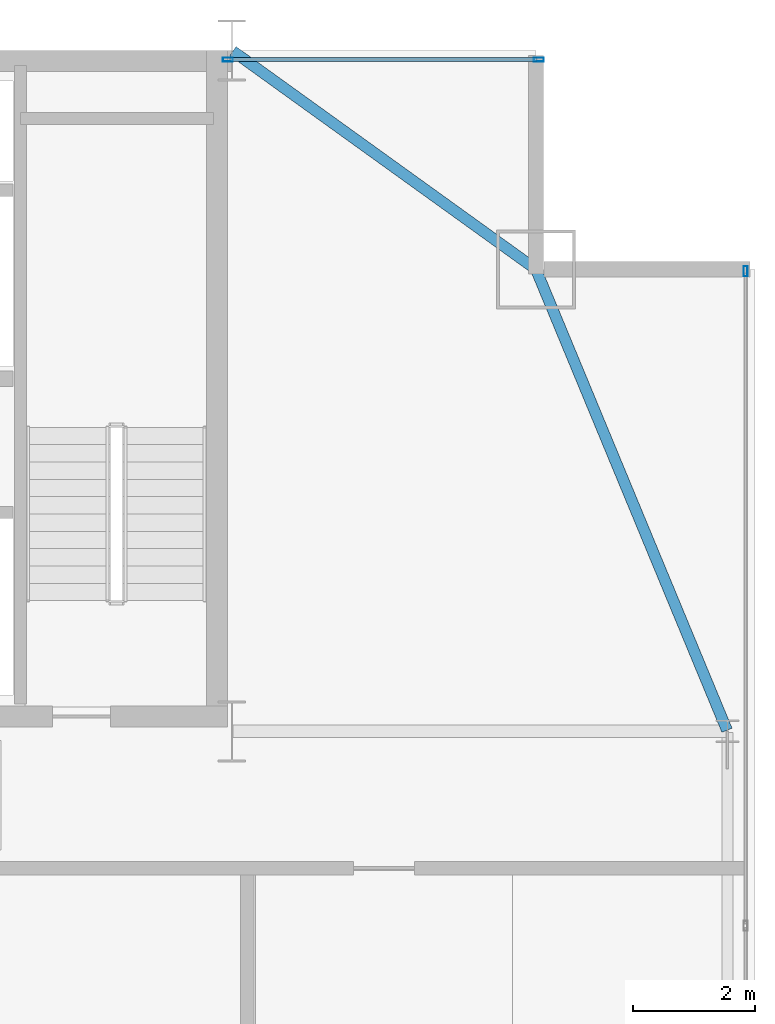
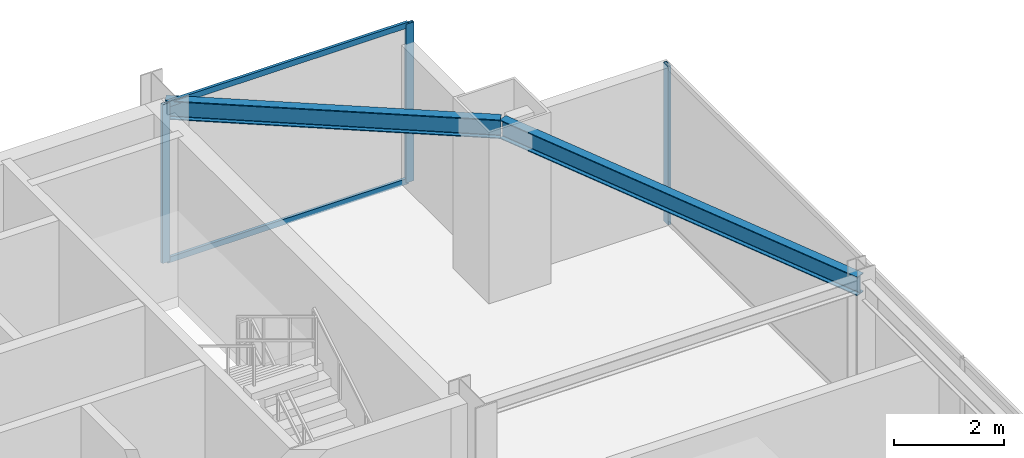
# One storey, part 21 of 29: 5 members, 2 beams, 2 elements without a shape of their own.
"""IFC4 building model written with IfcOpenShell, lengths in metres."""

from ifc_helpers import new_model, si_unit, direction, frame, origin, origin_2d, place, context, subcontext, project, spatial, hollow_rectangle, i_section, extrude, source, transform, mapped, material, layer, layer_set, material_profile, profile_set, type_object, type_shapes, element, aggregate, save


model = new_model("IFC4")

# Units and contexts
model_context = context("Model", 3, precision=1e-05, world=origin(), true_north=direction((0.0, 1.0)))
body_context = subcontext(model_context, "Body", "Model", "MODEL_VIEW")
ifc_project = project(units=[si_unit("LENGTHUNIT", "METRE"), si_unit("AREAUNIT", "SQUARE_METRE"), si_unit("VOLUMEUNIT", "CUBIC_METRE"), si_unit("PLANEANGLEUNIT", "RADIAN"), si_unit("MASSUNIT", "GRAM", prefix="KILO")], contexts=[model_context])

# Site, building, storey
site_placement = place(None, origin())
site = spatial("IfcSite", under=ifc_project, at=site_placement, CompositionType="ELEMENT")
building_placement = place(site_placement, origin())
building = spatial("IfcBuilding", under=site, at=building_placement, Name="Varnel Quay Broadcast Tower", CompositionType="ELEMENT")
storey_placement = place(building_placement, frame((0.0, 0.0, 187.60009765625)))
storey = spatial("IfcBuildingStorey", under=building, at=storey_placement, Name="L46", CompositionType="ELEMENT", Elevation=187.60009765625)

# Beams
ifc_material_1 = material(Name="Structural Steel CSA G40.21 350W", Category="steel")
ifc_material_profile_1 = material_profile(ifc_material_1, i_section(OverallWidth=0.180908203125, OverallDepth=0.4169921875, WebThickness=0.010986328125, FlangeThickness=0.018310546875, FilletRadius=0.011962890625, at=origin_2d()), Name="W410X85")
ifc_profile_set_1 = profile_set([ifc_material_profile_1], Name="Structural Steel CSA G40.21 350W")
beam_type = type_object("IfcBeamType", Name="Beam_W410X85", PredefinedType="SPANDREL", material=ifc_profile_set_1)
shared_shape_1 = source(origin(), body_context, "Body", "SweptSolid", [
    extrude(i_section(OverallWidth=0.180908203125, OverallDepth=0.4169921875, WebThickness=0.010986328125, FlangeThickness=0.018310546875, FilletRadius=0.011962890625, at=origin_2d()), origin(), (0.0, 0.0, 1.0), 8.186767578125),
])
beam_1_placement = place(storey_placement, frame((60.542236328125, 35.618408203125, 3.3115234375), z_axis=(-0.382874132092, 0.923800519038, 0.0), x_axis=(-0.923800519038, -0.382874132092, 0.0)))
element("IfcBeam", 1, at=beam_1_placement, inside=storey, type_object=beam_type, Name="L46 East Spandrel TC-E3-MC-NE", PredefinedType="SPANDREL", context=body_context, shape_type="MappedRepresentation", body=[
    mapped(shared_shape_1, transform((0.0, 0.0, 0.0), x_axis=(1.0, 0.0, 0.0), y_axis=(0.0, 1.0, 0.0), z_axis=(0.0, 0.0, 1.0), scale=1.0)),
])
shared_shape_2 = source(origin(), body_context, "Body", "SweptSolid", [
    extrude(i_section(OverallWidth=0.180908203125, OverallDepth=0.4169921875, WebThickness=0.010986328125, FlangeThickness=0.018310546875, FilletRadius=0.011962890625, at=origin_2d()), origin(), (0.0, 0.0, 1.0), 6.12109375),
])
type_shapes(beam_type, [shared_shape_1, shared_shape_2])
beam_2_placement = place(storey_placement, frame((52.416259765625, 46.788330078125, 3.3115234375), z_axis=(0.811531315425, -0.584308928637, 0.0), x_axis=(0.584308928637, 0.811531315425, 0.0)))
element("IfcBeam", 2, at=beam_2_placement, inside=storey, type_object=beam_type, Name="L46 NE Tie Spandrel", PredefinedType="SPANDREL", context=body_context, shape_type="MappedRepresentation", body=[
    mapped(shared_shape_2, transform((0.0, 0.0, 0.0), x_axis=(1.0, 0.0, 0.0), y_axis=(0.0, 1.0, 0.0), z_axis=(0.0, 0.0, 1.0), scale=1.0)),
])

# Curtain wall, members
ifc_material_2 = material(Name="Anodised Bronze Aluminium 6063-T6", Category="aluminium")
ifc_layer = layer(ifc_material_2, 0.18994140625, Name="Anodised Bronze Aluminium 6063-T6")
ifc_layer_set = layer_set([ifc_layer], Name="Anodised Bronze Aluminium 6063-T6")
curtain_wall_type = type_object("IfcCurtainWallType", Name="CW_UpperTower", PredefinedType="NOTDEFINED", material=ifc_layer_set)
curtain_wall_1_placement = place(storey_placement, origin())
curtain_wall_1 = element("IfcCurtainWall", 3, at=curtain_wall_1_placement, inside=storey, type_object=curtain_wall_type, Name="L46 NE Wing Curtain Wall", PredefinedType="NOTDEFINED")
ifc_material_profile_2 = material_profile(ifc_material_2, hollow_rectangle(XDim=0.06005859375, YDim=0.125, WallThickness=0.0029296875, at=origin_2d()), Name="ALU60X125X3")
ifc_profile_set_2 = profile_set([ifc_material_profile_2], Name="Anodised Bronze Aluminium 6063-T6")
member_type_1 = type_object("IfcMemberType", Name="Tran_CWS-03", PredefinedType="USERDEFINED", material=ifc_profile_set_2)
shared_shape_3 = source(origin(), body_context, "Body", "SweptSolid", [
    extrude(hollow_rectangle(XDim=0.06005859375, YDim=0.125, WallThickness=0.0029296875, at=origin_2d()), origin(), (0.0, 0.0, 1.0), 5.050048828125),
])
type_shapes(member_type_1, [shared_shape_3])
member_1_placement = place(storey_placement, frame((52.364990234375, 46.64990234375, 0.02978515625), z_axis=(1.0, 0.0, 0.0), x_axis=(0.0, 1.0, 0.0)))
member_1 = element("IfcMember", 4, at=member_1_placement, type_object=member_type_1, Name="CWS-03 transom 1.1", ObjectType="TRANSOM", PredefinedType="USERDEFINED", context=body_context, shape_type="MappedRepresentation", body=[
    mapped(shared_shape_3, transform((0.0, 0.0, 0.0), x_axis=(1.0, 0.0, 0.0), y_axis=(0.0, 1.0, 0.0), z_axis=(0.0, 0.0, 1.0), scale=1.0)),
])
member_2_placement = place(storey_placement, frame((52.364990234375, 46.64990234375, 3.489990234375), z_axis=(1.0, 0.0, 0.0), x_axis=(0.0, 1.0, 0.0)))
member_2 = element("IfcMember", 5, at=member_2_placement, type_object=member_type_1, Name="CWS-03 transom 1.2", ObjectType="TRANSOM", PredefinedType="USERDEFINED", context=body_context, shape_type="MappedRepresentation", body=[
    mapped(shared_shape_3, transform((0.0, 0.0, 0.0), x_axis=(1.0, 0.0, 0.0), y_axis=(0.0, 1.0, 0.0), z_axis=(0.0, 0.0, 1.0), scale=1.0)),
])

# Curtain wall, member
curtain_wall_2_placement = place(storey_placement, origin())
curtain_wall_2 = element("IfcCurtainWall", 6, at=curtain_wall_2_placement, inside=storey, type_object=curtain_wall_type, Name="L46 East Unitised Curtain Wall", PredefinedType="NOTDEFINED")
ifc_material_profile_3 = material_profile(ifc_material_2, hollow_rectangle(XDim=0.06494140625, YDim=0.1650390625, WallThickness=0.00341796875, at=origin_2d()), Name="ALU65X165X3.5")
ifc_profile_set_3 = profile_set([ifc_material_profile_3], Name="Anodised Bronze Aluminium 6063-T6")
member_type_2 = type_object("IfcMemberType", Name="Mull_CWS-03", PredefinedType="MULLION", material=ifc_profile_set_3)
shared_shape_4 = source(origin(), body_context, "Body", "SweptSolid", [
    extrude(hollow_rectangle(XDim=0.06494140625, YDim=0.1650390625, WallThickness=0.00341796875, at=origin_2d()), origin(), (0.0, 0.0, 1.0), 3.52001953125),
])
type_shapes(member_type_2, [shared_shape_4])
member_3_placement = place(storey_placement, frame((60.85009765625, 43.16748046875, 0.0), z_axis=(0.0, 0.0, 1.0), x_axis=(-1.0, 0.0, 0.0)))
member_3 = element("IfcMember", 7, at=member_3_placement, type_object=member_type_2, Name="CWS-03 mullion 4", PredefinedType="MULLION", context=body_context, shape_type="MappedRepresentation", body=[
    mapped(shared_shape_4, transform((0.0, 0.0, 0.0), x_axis=(1.0, 0.0, 0.0), y_axis=(0.0, 1.0, 0.0), z_axis=(0.0, 0.0, 1.0), scale=1.0)),
])
aggregate(curtain_wall_2, [member_3])

# Member
member_4_placement = place(storey_placement, frame((52.33251953125, 46.64990234375, 0.0), z_axis=(0.0, 0.0, 1.0), x_axis=(0.0, 1.0, 0.0)))
member_4 = element("IfcMember", 8, at=member_4_placement, type_object=member_type_2, Name="CWS-03 mullion 1", PredefinedType="MULLION", context=body_context, shape_type="MappedRepresentation", body=[
    mapped(shared_shape_4, transform((0.0, 0.0, 0.0), x_axis=(1.0, 0.0, 0.0), y_axis=(0.0, 1.0, 0.0), z_axis=(0.0, 0.0, 1.0), scale=1.0)),
])

member_5_placement = place(storey_placement, frame((57.447509765625, 46.64990234375, 0.0), z_axis=(0.0, 0.0, 1.0), x_axis=(0.0, 1.0, 0.0)))
member_5 = element("IfcMember", 9, at=member_5_placement, type_object=member_type_2, Name="CWS-03 mullion 2", PredefinedType="MULLION", context=body_context, shape_type="MappedRepresentation", body=[
    mapped(shared_shape_4, transform((0.0, 0.0, 0.0), x_axis=(1.0, 0.0, 0.0), y_axis=(0.0, 1.0, 0.0), z_axis=(0.0, 0.0, 1.0), scale=1.0)),
])

aggregate(curtain_wall_1, [member_4, member_5, member_1, member_2])

save(model, "model.ifc")
